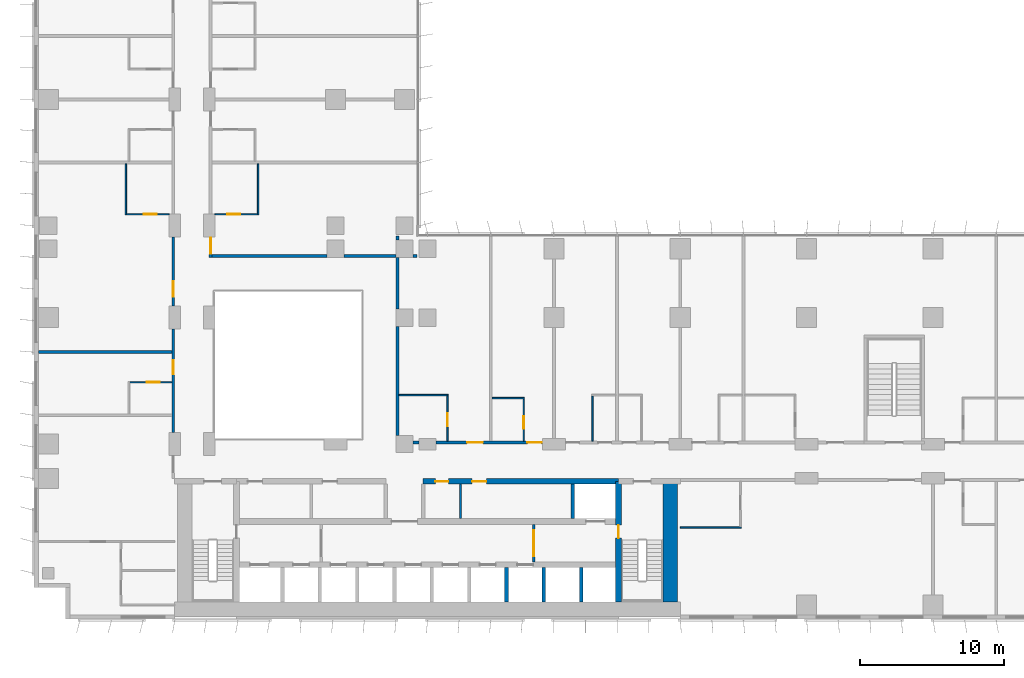
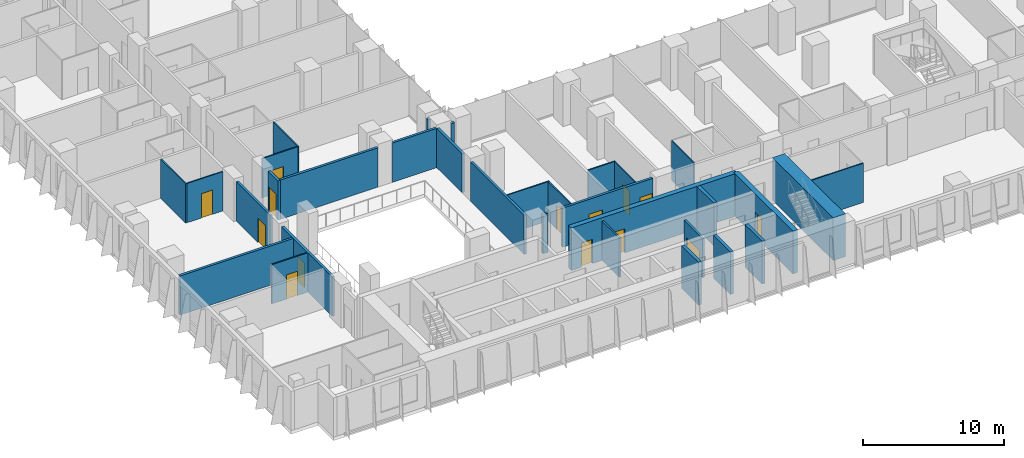
# One storey, part 13 of 24: 32 walls, 14 doors, 14 openings.
"""IFC4 building model written with IfcOpenShell, lengths in metres."""

from ifc_helpers import new_model, si_unit, direction, frame, frame_2d, origin, place, context, subcontext, project, spatial, rectangle, extrude, material, layer, layer_set, type_object, element, fill, save


model = new_model("IFC4")

# Units and contexts
model_context = context("Model", 3, precision=1e-05, world=origin(), true_north=direction((0.0, 1.0)))
body_context = subcontext(model_context, "Body", "Model", "MODEL_VIEW")
ifc_project = project(units=[si_unit("LENGTHUNIT", "METRE"), si_unit("AREAUNIT", "SQUARE_METRE"), si_unit("VOLUMEUNIT", "CUBIC_METRE"), si_unit("PLANEANGLEUNIT", "RADIAN"), si_unit("MASSUNIT", "GRAM", prefix="KILO")], contexts=[model_context])

# Site, building, storey
site_placement = place(None, origin())
site = spatial("IfcSite", under=ifc_project, at=site_placement, CompositionType="ELEMENT")
building_placement = place(site_placement, origin())
building = spatial("IfcBuilding", under=site, at=building_placement, Name="Kemantara Hotel Tower", CompositionType="ELEMENT")
storey_placement = place(building_placement, frame((0.0, 0.0, 63.60009765625)))
storey = spatial("IfcBuildingStorey", under=building, at=storey_placement, Name="L14", CompositionType="ELEMENT", Elevation=63.60009765625)

# Walls
ifc_material_1 = material(Name="Concrete fc 70 MPa", Category="concrete")
ifc_layer_1 = layer(ifc_material_1, 1.0)
ifc_layer_set_1 = layer_set([ifc_layer_1], Name="Concrete fc 70 MPa")
wall_type_1 = type_object("IfcWallType", Name="CORE WALL 1000 FC70", PredefinedType="SHEAR", material=ifc_layer_set_1)
wall_1_placement = place(storey_placement, frame((44.300048828125, 1.199951171875, 0.0), z_axis=(0.0, 0.0, 1.0), x_axis=(0.0, 1.0, 0.0)))
element("IfcWall", 1, at=wall_1_placement, inside=storey, type_object=wall_type_1, Name="CORE WALL CW-E", PredefinedType="SHEAR", context=body_context, shape_type="SweptSolid", body=[
    extrude(rectangle(XDim=8.60009765625, YDim=1.0, at=frame_2d((4.300048828125, 0.0))), origin(), (0.0, 0.0, 1.0), 3.699951171875),
])
ifc_layer_2 = layer(ifc_material_1, 0.25)
ifc_layer_set_2 = layer_set([ifc_layer_2], Name="Concrete fc 70 MPa")
wall_type_2 = type_object("IfcWallType", Name="CORE WALL 250 FC70", PredefinedType="SHEAR", material=ifc_layer_set_2)
for number, where, z_axis, x_axis, name in (
    (2, (32.89990234375, 1.199951171875, 0.0), (0.0, 0.0, 1.0), (0.0, 1.0, 0.0), "CORE WALL CW-DS32.9"),
    (3, (35.5, 1.199951171875, 0.0), (0.0, 0.0, 1.0), (0.0, 1.0, 0.0), "CORE WALL CW-DS35.5"),
    (4, (38.10009765625, 1.199951171875, 0.0), (0.0, 0.0, 1.0), (0.0, 1.0, 0.0), "CORE WALL CW-DS38.1"),
):
    element("IfcWall", number, at=place(storey_placement, frame(where, z_axis=z_axis, x_axis=x_axis)), inside=storey, type_object=wall_type_2, Name=name, PredefinedType="SHEAR", context=body_context, shape_type="SweptSolid", body=[
        extrude(rectangle(XDim=2.400146484375, YDim=0.25, at=frame_2d((1.2001953125, 0.0))), origin(), (0.0, 0.0, 1.0), 3.699951171875),
    ])
wall_2_placement = place(storey_placement, frame((37.5, 7.0, 0.0), z_axis=(0.0, 0.0, 1.0), x_axis=(0.0, 1.0, 0.0)))
element("IfcWall", 5, at=wall_2_placement, inside=storey, type_object=wall_type_2, Name="CORE WALL CW-DN37.5", PredefinedType="SHEAR", context=body_context, shape_type="SweptSolid", body=[
    extrude(rectangle(XDim=2.39990234375, YDim=0.25, at=frame_2d((1.199951171875, 0.0))), origin(), (0.0, 0.0, 1.0), 3.699951171875),
])

# Wall, openings, doors
ifc_layer_3 = layer(ifc_material_1, 0.39990234375)
ifc_layer_set_3 = layer_set([ifc_layer_3], Name="Concrete fc 70 MPa")
wall_type_3 = type_object("IfcWallType", Name="CORE WALL 400 FC70", PredefinedType="SHEAR", material=ifc_layer_set_3)
wall_3_placement = place(storey_placement, frame((27.10009765625, 9.60009765625, 0.0), z_axis=(0.0, 0.0, 1.0), x_axis=(1.0, 0.0, 0.0)))
wall_3 = element("IfcWall", 6, at=wall_3_placement, inside=storey, type_object=wall_type_3, Name="CORE WALL CW-NN2", PredefinedType="SHEAR", context=body_context, shape_type="SweptSolid", body=[
    extrude(rectangle(XDim=13.599853515625, YDim=0.39990234375, at=frame_2d((6.7998046875, 0.0))), origin(), (0.0, 0.0, 1.0), 3.699951171875),
])
opening_1_placement = place(wall_3_placement, frame((0.85009765625, 0.0, 0.0)))
opening_1 = element("IfcOpeningElement", 7, at=opening_1_placement, cuts=wall_3, Name="Opening C10-R-NE1", PredefinedType="OPENING", context=body_context, shape_type="SweptSolid", body=[
    extrude(rectangle(XDim=0.89990234375, YDim=2.10009765625, at=frame_2d((0.449951171875, 1.050048828125))), frame((0.0, 0.2099609375, 0.0), z_axis=(0.0, -1.0, 0.0), x_axis=(1.0, 0.0, 0.0)), (0.0, 0.0, 1.0), 0.419921875),
])
opening_2_placement = place(wall_3_placement, frame((3.39990234375, 0.0, 0.0)))
opening_2 = element("IfcOpeningElement", 8, at=opening_2_placement, cuts=wall_3, Name="Opening C10-R-NE2", PredefinedType="OPENING", context=body_context, shape_type="SweptSolid", body=[
    extrude(rectangle(XDim=1.0, YDim=2.10009765625, at=frame_2d((0.5, 1.050048828125))), frame((0.0, 0.2099609375, 0.0), z_axis=(0.0, -1.0, 0.0), x_axis=(1.0, 0.0, 0.0)), (0.0, 0.0, 1.0), 0.419921875),
])
ifc_material_2 = material(Name="Steel fire door", Category="steel")
door_type_1 = type_object("IfcDoorType", Name="Fire door FD30S 1000 x 2100", OperationType="NOTDEFINED", PredefinedType="DOOR", material=ifc_material_2)
door_1_placement = place(opening_2_placement, frame((1.0, 0.0, 0.0), z_axis=(0.0, 0.0, 1.0), x_axis=(-1.0, 0.0, 0.0)))
door_1 = element("IfcDoor", 9, at=door_1_placement, inside=storey, type_object=door_type_1, Name="Guest Pantry door", OperationType="SINGLE_SWING_RIGHT", OverallHeight=2.10009765625, OverallWidth=1.0, PredefinedType="DOOR", context=body_context, shape_type="SweptSolid", body=[
    extrude(rectangle(XDim=1.0, YDim=2.10009765625, at=frame_2d((0.5, 1.050048828125))), frame((0.0, 0.02490234375, 0.0), z_axis=(0.0, -1.0, 0.0), x_axis=(1.0, 0.0, 0.0)), (0.0, 0.0, 1.0), 0.050048828125),
])
fill(opening_2, door_1)
door_type_2 = type_object("IfcDoorType", Name="Fire door FD60 900 x 2100", OperationType="NOTDEFINED", PredefinedType="DOOR", material=ifc_material_2)
door_2_placement = place(opening_1_placement, frame((0.89990234375, 0.0, 0.0), z_axis=(0.0, 0.0, 1.0), x_axis=(-1.0, 0.0, 0.0)))
door_2 = element("IfcDoor", 10, at=door_2_placement, inside=storey, type_object=door_type_2, Name="Electrical Riser Room door", OperationType="SINGLE_SWING_RIGHT", OverallHeight=2.10009765625, OverallWidth=0.89990234375, PredefinedType="DOOR", context=body_context, shape_type="SweptSolid", body=[
    extrude(rectangle(XDim=0.89990234375, YDim=2.10009765625, at=frame_2d((0.449951171875, 1.050048828125))), frame((0.0, 0.02490234375, 0.0), z_axis=(0.0, -1.0, 0.0), x_axis=(1.0, 0.0, 0.0)), (0.0, 0.0, 1.0), 0.050048828125),
])
fill(opening_1, door_2)

# Wall, opening, door
wall_4_placement = place(storey_placement, frame((40.699951171875, 1.199951171875, 0.0), z_axis=(0.0, 0.0, 1.0), x_axis=(0.0, 1.0, 0.0)))
wall_4 = element("IfcWall", 11, at=wall_4_placement, inside=storey, type_object=wall_type_3, Name="CORE WALL CW-ST2W", PredefinedType="SHEAR", context=body_context, shape_type="SweptSolid", body=[
    extrude(rectangle(XDim=8.400146484375, YDim=0.39990234375, at=frame_2d((4.2001953125, 0.0))), origin(), (0.0, 0.0, 1.0), 3.699951171875),
])
opening_3_placement = place(wall_4_placement, frame((4.449951171875, 0.0, 0.0)))
opening_3 = element("IfcOpeningElement", 12, at=opening_3_placement, cuts=wall_4, Name="Opening C10-ST2-F", PredefinedType="OPENING", context=body_context, shape_type="SweptSolid", body=[
    extrude(rectangle(XDim=0.89990234375, YDim=2.10009765625, at=frame_2d((0.449951171875, 1.050048828125))), frame((0.0, 0.2099609375, 0.0), z_axis=(0.0, -1.0, 0.0), x_axis=(1.0, 0.0, 0.0)), (0.0, 0.0, 1.0), 0.419921875),
])
door_type_3 = type_object("IfcDoorType", Name="Fire door FD90 900 x 2100", OperationType="NOTDEFINED", PredefinedType="DOOR", material=ifc_material_2)
door_3_placement = place(opening_3_placement, frame((0.89990234375, 0.0, 0.0), z_axis=(0.0, 0.0, 1.0), x_axis=(-1.0, 0.0, 0.0)))
door_3 = element("IfcDoor", 13, at=door_3_placement, inside=storey, type_object=door_type_3, Name="Stair ST2 door to firefighting lobby", OperationType="SINGLE_SWING_LEFT", OverallHeight=2.10009765625, OverallWidth=0.89990234375, PredefinedType="DOOR", context=body_context, shape_type="SweptSolid", body=[
    extrude(rectangle(XDim=0.89990234375, YDim=2.10009765625, at=frame_2d((0.449951171875, 1.050048828125))), frame((0.0, 0.02490234375, 0.0), z_axis=(0.0, -1.0, 0.0), x_axis=(1.0, 0.0, 0.0)), (0.0, 0.0, 1.0), 0.050048828125),
])
fill(opening_3, door_3)

# Wall
ifc_material_3 = material(Name="Gypsum board partition, steel studs and mineral wool, 200 mm", Category="steel")
ifc_layer_4 = layer(ifc_material_3, 0.199951171875)
ifc_layer_set_4 = layer_set([ifc_layer_4], Name="Gypsum board partition, steel studs and mineral wool, 200 mm")
wall_type_4 = type_object("IfcWallType", Name="CORRIDOR WALL 200", PredefinedType="PARTITIONING", material=ifc_layer_set_4)
wall_5_placement = place(storey_placement, frame((26.400146484375, 12.300048828125, 0.0), z_axis=(0.0, 0.0, 1.0), x_axis=(1.0, 0.0, 0.0)))
element("IfcWall", 14, at=wall_5_placement, inside=storey, type_object=wall_type_4, Name="CORRIDOR WALL 200 009", PredefinedType="PARTITIONING", context=body_context, shape_type="SweptSolid", body=[
    extrude(rectangle(XDim=0.399658203125, YDim=0.199951171875, at=frame_2d((0.19970703125, 0.0))), origin(), (0.0, 0.0, 1.0), 3.39990234375),
])

# Wall, openings, doors
wall_6_placement = place(storey_placement, frame((28.0, 12.300048828125, 0.0), z_axis=(0.0, 0.0, 1.0), x_axis=(1.0, 0.0, 0.0)))
wall_6 = element("IfcWall", 15, at=wall_6_placement, inside=storey, type_object=wall_type_4, Name="CORRIDOR WALL 200 010", PredefinedType="PARTITIONING", context=body_context, shape_type="SweptSolid", body=[
    extrude(rectangle(XDim=7.39990234375, YDim=0.199951171875, at=frame_2d((3.699951171875, 0.0))), origin(), (0.0, 0.0, 1.0), 3.39990234375),
])
opening_4_placement = place(wall_6_placement, frame((2.14990234375, 0.0, 0.0)))
opening_4 = element("IfcOpeningElement", 16, at=opening_4_placement, cuts=wall_6, Name="Opening F05-009", PredefinedType="OPENING", context=body_context, shape_type="SweptSolid", body=[
    extrude(rectangle(XDim=1.10009765625, YDim=2.10009765625, at=frame_2d((0.550048828125, 1.050048828125))), frame((0.0, 0.10986328125, 0.0), z_axis=(0.0, -1.0, 0.0), x_axis=(1.0, 0.0, 0.0)), (0.0, 0.0, 1.0), 0.219970703125),
])
opening_5_placement = place(wall_6_placement, frame((6.349853515625, 0.0, 0.0)))
opening_5 = element("IfcOpeningElement", 17, at=opening_5_placement, cuts=wall_6, Name="Opening F05-011", PredefinedType="OPENING", context=body_context, shape_type="SweptSolid", body=[
    extrude(rectangle(XDim=1.0, YDim=2.10009765625, at=frame_2d((0.5, 1.050048828125))), frame((0.0, 0.10986328125, 0.0), z_axis=(0.0, -1.0, 0.0), x_axis=(1.0, 0.0, 0.0)), (0.0, 0.0, 1.0), 0.219970703125),
])
ifc_material_4 = material(Name="Hardwood veneer door leaf with steel frame", Category="steel")
door_type_4 = type_object("IfcDoorType", Name="GUEST ROOM DOOR 1000 X 2100 FD30S", OperationType="NOTDEFINED", PredefinedType="DOOR", material=ifc_material_4)
door_4_placement = place(opening_5_placement, origin())
door_4 = element("IfcDoor", 18, at=door_4_placement, inside=storey, type_object=door_type_4, Name="GUEST ROOM DOOR F05-011", OperationType="SINGLE_SWING_RIGHT", OverallHeight=2.10009765625, OverallWidth=1.0, PredefinedType="DOOR", context=body_context, shape_type="SweptSolid", body=[
    extrude(rectangle(XDim=1.0, YDim=2.10009765625, at=frame_2d((0.5, 1.050048828125))), frame((0.0, 0.02490234375, 0.0), z_axis=(0.0, -1.0, 0.0), x_axis=(1.0, 0.0, 0.0)), (0.0, 0.0, 1.0), 0.050048828125),
])
fill(opening_5, door_4)
door_type_5 = type_object("IfcDoorType", Name="SUITE ENTRANCE DOOR 1100 X 2100 FD30S", OperationType="NOTDEFINED", PredefinedType="DOOR", material=ifc_material_4)
door_5_placement = place(opening_4_placement, origin())
door_5 = element("IfcDoor", 19, at=door_5_placement, inside=storey, type_object=door_type_5, Name="SUITE ENTRANCE DOOR F05-009", OperationType="SINGLE_SWING_RIGHT", OverallHeight=2.10009765625, OverallWidth=1.10009765625, PredefinedType="DOOR", context=body_context, shape_type="SweptSolid", body=[
    extrude(rectangle(XDim=1.10009765625, YDim=2.10009765625, at=frame_2d((0.550048828125, 1.050048828125))), frame((0.0, 0.02490234375, 0.0), z_axis=(0.0, -1.0, 0.0), x_axis=(1.0, 0.0, 0.0)), (0.0, 0.0, 1.0), 0.050048828125),
])
fill(opening_4, door_5)

# Wall, opening, door
wall_7_placement = place(storey_placement, frame((9.699951171875, 13.0, 0.0), z_axis=(0.0, 0.0, 1.0), x_axis=(0.0, 1.0, 0.0)))
wall_7 = element("IfcWall", 20, at=wall_7_placement, inside=storey, type_object=wall_type_4, Name="CORRIDOR WALL 200 027", PredefinedType="PARTITIONING", context=body_context, shape_type="SweptSolid", body=[
    extrude(rectangle(XDim=7.199951171875, YDim=0.199951171875, at=frame_2d((3.60009765625, 0.0))), origin(), (0.0, 0.0, 1.0), 3.39990234375),
])
opening_6_placement = place(wall_7_placement, frame((4.0498046875, 0.0, 0.0)))
opening_6 = element("IfcOpeningElement", 21, at=opening_6_placement, cuts=wall_7, Name="Opening F05-031", PredefinedType="OPENING", context=body_context, shape_type="SweptSolid", body=[
    extrude(rectangle(XDim=1.0, YDim=2.10009765625, at=frame_2d((0.5, 1.050048828125))), frame((0.0, 0.10986328125, 0.0), z_axis=(0.0, -1.0, 0.0), x_axis=(1.0, 0.0, 0.0)), (0.0, 0.0, 1.0), 0.219970703125),
])
door_6_placement = place(opening_6_placement, origin())
door_6 = element("IfcDoor", 22, at=door_6_placement, inside=storey, type_object=door_type_4, Name="GUEST ROOM DOOR F05-031", OperationType="SINGLE_SWING_RIGHT", OverallHeight=2.10009765625, OverallWidth=1.0, PredefinedType="DOOR", context=body_context, shape_type="SweptSolid", body=[
    extrude(rectangle(XDim=1.0, YDim=2.10009765625, at=frame_2d((0.5, 1.050048828125))), frame((0.0, 0.02490234375, 0.0), z_axis=(0.0, -1.0, 0.0), x_axis=(1.0, 0.0, 0.0)), (0.0, 0.0, 1.0), 0.050048828125),
])
fill(opening_6, door_6)

wall_8_placement = place(storey_placement, frame((9.699951171875, 21.800048828125, 0.0), z_axis=(0.0, 0.0, 1.0), x_axis=(0.0, 1.0, 0.0)))
wall_8 = element("IfcWall", 23, at=wall_8_placement, inside=storey, type_object=wall_type_4, Name="CORRIDOR WALL 200 028", PredefinedType="PARTITIONING", context=body_context, shape_type="SweptSolid", body=[
    extrude(rectangle(XDim=4.7998046875, YDim=0.199951171875, at=frame_2d((2.39990234375, 0.0))), origin(), (0.0, 0.0, 1.0), 3.39990234375),
])
opening_7_placement = place(wall_8_placement, frame((0.64990234375, 0.0, 0.0)))
opening_7 = element("IfcOpeningElement", 24, at=opening_7_placement, cuts=wall_8, Name="Opening F05-033", PredefinedType="OPENING", context=body_context, shape_type="SweptSolid", body=[
    extrude(rectangle(XDim=1.10009765625, YDim=2.10009765625, at=frame_2d((0.550048828125, 1.050048828125))), frame((0.0, 0.10986328125, 0.0), z_axis=(0.0, -1.0, 0.0), x_axis=(1.0, 0.0, 0.0)), (0.0, 0.0, 1.0), 0.219970703125),
])
door_7_placement = place(opening_7_placement, origin())
door_7 = element("IfcDoor", 25, at=door_7_placement, inside=storey, type_object=door_type_5, Name="SUITE ENTRANCE DOOR F05-033", OperationType="SINGLE_SWING_LEFT", OverallHeight=2.10009765625, OverallWidth=1.10009765625, PredefinedType="DOOR", context=body_context, shape_type="SweptSolid", body=[
    extrude(rectangle(XDim=1.10009765625, YDim=2.10009765625, at=frame_2d((0.550048828125, 1.050048828125))), frame((0.0, 0.02490234375, 0.0), z_axis=(0.0, -1.0, 0.0), x_axis=(1.0, 0.0, 0.0)), (0.0, 0.0, 1.0), 0.050048828125),
])
fill(opening_7, door_7)

wall_9_placement = place(storey_placement, frame((12.300048828125, 26.599853515625, 0.0), z_axis=(0.0, 0.0, 1.0), x_axis=(0.0, -1.0, 0.0)))
wall_9 = element("IfcWall", 26, at=wall_9_placement, inside=storey, type_object=wall_type_4, Name="CORRIDOR WALL 200 048", PredefinedType="PARTITIONING", context=body_context, shape_type="SweptSolid", body=[
    extrude(rectangle(XDim=1.39990234375, YDim=0.199951171875, at=frame_2d((0.699951171875, 0.0))), origin(), (0.0, 0.0, 1.0), 3.39990234375),
])
opening_8_placement = place(wall_9_placement, frame((0.0498046875, 0.0, 0.0)))
opening_8 = element("IfcOpeningElement", 27, at=opening_8_placement, cuts=wall_9, Name="Opening F05-049", PredefinedType="OPENING", context=body_context, shape_type="SweptSolid", body=[
    extrude(rectangle(XDim=1.10009765625, YDim=2.10009765625, at=frame_2d((0.550048828125, 1.050048828125))), frame((0.0, 0.10986328125, 0.0), z_axis=(0.0, -1.0, 0.0), x_axis=(1.0, 0.0, 0.0)), (0.0, 0.0, 1.0), 0.219970703125),
])
door_8_placement = place(opening_8_placement, origin())
door_8 = element("IfcDoor", 28, at=door_8_placement, inside=storey, type_object=door_type_5, Name="SUITE ENTRANCE DOOR F05-049", OperationType="SINGLE_SWING_RIGHT", OverallHeight=2.10009765625, OverallWidth=1.10009765625, PredefinedType="DOOR", context=body_context, shape_type="SweptSolid", body=[
    extrude(rectangle(XDim=1.10009765625, YDim=2.10009765625, at=frame_2d((0.550048828125, 1.050048828125))), frame((0.0, 0.02490234375, 0.0), z_axis=(0.0, -1.0, 0.0), x_axis=(1.0, 0.0, 0.0)), (0.0, 0.0, 1.0), 0.050048828125),
])
fill(opening_8, door_8)

# Walls
ifc_layer_5 = layer(ifc_material_3, 0.199951171875)
ifc_layer_set_5 = layer_set([ifc_layer_5], Name="Gypsum board partition, steel studs and mineral wool, 200 mm")
wall_type_5 = type_object("IfcWallType", Name="GUEST ROOM PARTY WALL 200", PredefinedType="PARTITIONING", material=ifc_layer_set_5)
wall_10_placement = place(storey_placement, frame((25.300048828125, 12.800048828125, 0.0), z_axis=(0.0, 0.0, 1.0), x_axis=(0.0, 1.0, 0.0)))
element("IfcWall", 29, at=wall_10_placement, inside=storey, type_object=wall_type_5, Name="GUEST ROOM PARTY WALL 200 016", PredefinedType="PARTITIONING", context=body_context, shape_type="SweptSolid", body=[
    extrude(rectangle(XDim=7.599853515625, YDim=0.199951171875, at=frame_2d((3.7998046875, 0.0))), origin(), (0.0, 0.0, 1.0), 3.39990234375),
])
wall_11_placement = place(storey_placement, frame((25.300048828125, 21.60009765625, 0.0), z_axis=(0.0, 0.0, 1.0), x_axis=(0.0, 1.0, 0.0)))
element("IfcWall", 30, at=wall_11_placement, inside=storey, type_object=wall_type_5, Name="GUEST ROOM PARTY WALL 200 017", PredefinedType="PARTITIONING", context=body_context, shape_type="SweptSolid", body=[
    extrude(rectangle(XDim=3.599853515625, YDim=0.199951171875, at=frame_2d((1.7998046875, 0.0))), origin(), (0.0, 0.0, 1.0), 3.39990234375),
])
wall_12_placement = place(storey_placement, frame((25.300048828125, 26.400146484375, 0.0), z_axis=(0.0, 0.0, 1.0), x_axis=(0.0, 1.0, 0.0)))
element("IfcWall", 31, at=wall_12_placement, inside=storey, type_object=wall_type_5, Name="GUEST ROOM PARTY WALL 200 018", PredefinedType="PARTITIONING", context=body_context, shape_type="SweptSolid", body=[
    extrude(rectangle(XDim=0.269775390625, YDim=0.199951171875, at=frame_2d((0.134765625, 0.0))), origin(), (0.0, 0.0, 1.0), 3.39990234375),
])
wall_13_placement = place(storey_placement, frame((0.31005859375, 18.60009765625, 0.0), z_axis=(0.0, 0.0, 1.0), x_axis=(1.0, 0.0, 0.0)))
element("IfcWall", 32, at=wall_13_placement, inside=storey, type_object=wall_type_5, Name="GUEST ROOM PARTY WALL 200 036", PredefinedType="PARTITIONING", context=body_context, shape_type="SweptSolid", body=[
    extrude(rectangle(XDim=9.2900390625, YDim=0.199951171875, at=frame_2d((4.64501953125, 0.0))), origin(), (0.0, 0.0, 1.0), 3.39990234375),
])
wall_14_placement = place(storey_placement, frame((12.39990234375, 25.300048828125, 0.0), z_axis=(0.0, 0.0, 1.0), x_axis=(1.0, 0.0, 0.0)))
element("IfcWall", 33, at=wall_14_placement, inside=storey, type_object=wall_type_5, Name="GUEST ROOM PARTY WALL 200 055", PredefinedType="PARTITIONING", context=body_context, shape_type="SweptSolid", body=[
    extrude(rectangle(XDim=8.0, YDim=0.199951171875, at=frame_2d((4.0, 0.0))), origin(), (0.0, 0.0, 1.0), 3.39990234375),
])
wall_15_placement = place(storey_placement, frame((21.60009765625, 25.300048828125, 0.0), z_axis=(0.0, 0.0, 1.0), x_axis=(1.0, 0.0, 0.0)))
element("IfcWall", 34, at=wall_15_placement, inside=storey, type_object=wall_type_5, Name="GUEST ROOM PARTY WALL 200 056", PredefinedType="PARTITIONING", context=body_context, shape_type="SweptSolid", body=[
    extrude(rectangle(XDim=3.599853515625, YDim=0.199951171875, at=frame_2d((1.7998046875, 0.0))), origin(), (0.0, 0.0, 1.0), 3.39990234375),
])
wall_16_placement = place(storey_placement, frame((26.400146484375, 25.300048828125, 0.0), z_axis=(0.0, 0.0, 1.0), x_axis=(1.0, 0.0, 0.0)))
element("IfcWall", 35, at=wall_16_placement, inside=storey, type_object=wall_type_5, Name="GUEST ROOM PARTY WALL 200 057", PredefinedType="PARTITIONING", context=body_context, shape_type="SweptSolid", body=[
    extrude(rectangle(XDim=0.269775390625, YDim=0.199951171875, at=frame_2d((0.134765625, 0.0))), origin(), (0.0, 0.0, 1.0), 3.39990234375),
])
ifc_material_5 = material(Name="Gypsum board partition")
ifc_layer_6 = layer(ifc_material_5, 0.14990234375)
ifc_layer_set_6 = layer_set([ifc_layer_6], Name="Gypsum board partition")
wall_type_6 = type_object("IfcWallType", Name="Gypsum board partition 150 mm", PredefinedType="PARTITIONING", material=ifc_layer_set_6)
wall_17_placement = place(storey_placement, frame((29.699951171875, 7.0, 0.0), z_axis=(0.0, 0.0, 1.0), x_axis=(0.0, 1.0, 0.0)))
element("IfcWall", 36, at=wall_17_placement, inside=storey, type_object=wall_type_6, Name="Core room partition", PredefinedType="PARTITIONING", context=body_context, shape_type="SweptSolid", body=[
    extrude(rectangle(XDim=2.39990234375, YDim=0.14990234375, at=frame_2d((1.199951171875, 0.0))), origin(), (0.0, 0.0, 1.0), 3.39990234375),
])

# Wall, opening, door
ifc_material_6 = material(Name="Gypsum board shaft wall")
ifc_layer_7 = layer(ifc_material_6, 0.199951171875)
ifc_layer_set_7 = layer_set([ifc_layer_7], Name="Gypsum board shaft wall")
wall_type_7 = type_object("IfcWallType", Name="Gypsum board shaft wall 200 mm", PredefinedType="PARTITIONING", material=ifc_layer_set_7)
wall_18_placement = place(storey_placement, frame((34.800048828125, 4.0, 0.0), z_axis=(0.0, 0.0, 1.0), x_axis=(0.0, 1.0, 0.0)))
wall_18 = element("IfcWall", 37, at=wall_18_placement, inside=storey, type_object=wall_type_7, Name="Firefighting lobby partition east", PredefinedType="PARTITIONING", context=body_context, shape_type="SweptSolid", body=[
    extrude(rectangle(XDim=2.60009765625, YDim=0.199951171875, at=frame_2d((1.300048828125, 0.0))), origin(), (0.0, 0.0, 1.0), 3.39990234375),
])
opening_9_placement = place(wall_18_placement, frame((0.39990234375, 0.0, 0.0)))
opening_9 = element("IfcOpeningElement", 38, at=opening_9_placement, cuts=wall_18, Name="Opening C10-FFE", PredefinedType="OPENING", context=body_context, shape_type="SweptSolid", body=[
    extrude(rectangle(XDim=1.800048828125, YDim=2.10009765625, at=frame_2d((0.89990234375, 1.050048828125))), frame((0.0, 0.10986328125, 0.0), z_axis=(0.0, -1.0, 0.0), x_axis=(1.0, 0.0, 0.0)), (0.0, 0.0, 1.0), 0.219970703125),
])
door_type_6 = type_object("IfcDoorType", Name="Fire door pair FD60 1800 x 2100", OperationType="DOUBLE_DOOR_SINGLE_SWING", PredefinedType="DOOR", material=ifc_material_2)
door_9_placement = place(opening_9_placement, frame((1.800048828125, 0.0, 0.0), z_axis=(0.0, 0.0, 1.0), x_axis=(-1.0, 0.0, 0.0)))
door_9 = element("IfcDoor", 39, at=door_9_placement, inside=storey, type_object=door_type_6, Name="Firefighting lobby door east", OperationType="DOUBLE_DOOR_SINGLE_SWING", OverallHeight=2.10009765625, OverallWidth=1.800048828125, PredefinedType="DOOR", context=body_context, shape_type="SweptSolid", body=[
    extrude(rectangle(XDim=1.800048828125, YDim=2.10009765625, at=frame_2d((0.89990234375, 1.050048828125))), frame((0.0, 0.02490234375, 0.0), z_axis=(0.0, -1.0, 0.0), x_axis=(1.0, 0.0, 0.0)), (0.0, 0.0, 1.0), 0.050048828125),
])
fill(opening_9, door_9)

# Walls
ifc_material_7 = material(Name="Gypsum board partition on steel studs, 100 mm", Category="steel")
ifc_layer_8 = layer(ifc_material_7, 0.10009765625)
ifc_layer_set_8 = layer_set([ifc_layer_8], Name="Gypsum board partition on steel studs, 100 mm")
wall_type_8 = type_object("IfcWallType", Name="ROOM PARTITION 100", PredefinedType="PARTITIONING", material=ifc_layer_set_8)
wall_19_placement = place(storey_placement, frame((45.0, 6.39990234375, 0.0), z_axis=(0.0, 0.0, 1.0), x_axis=(1.0, 0.0, 0.0)))
element("IfcWall", 40, at=wall_19_placement, inside=storey, type_object=wall_type_8, Name="ROOM PARTITION 100 065", PredefinedType="PARTITIONING", context=body_context, shape_type="SweptSolid", body=[
    extrude(rectangle(XDim=4.25, YDim=0.10009765625, at=frame_2d((2.125, 0.0))), origin(), (0.0, 0.0, 1.0), 3.39990234375),
])
wall_20_placement = place(storey_placement, frame((25.39990234375, 15.60009765625, 0.0), z_axis=(0.0, 0.0, 1.0), x_axis=(1.0, 0.0, 0.0)))
element("IfcWall", 41, at=wall_20_placement, inside=storey, type_object=wall_type_8, Name="ROOM PARTITION 100 074", PredefinedType="PARTITIONING", context=body_context, shape_type="SweptSolid", body=[
    extrude(rectangle(XDim=3.4501953125, YDim=0.10009765625, at=frame_2d((1.72509765625, 0.0))), origin(), (0.0, 0.0, 1.0), 3.39990234375),
])

# Wall, opening, door
wall_21_placement = place(storey_placement, frame((28.800048828125, 12.39990234375, 0.0), z_axis=(0.0, 0.0, 1.0), x_axis=(0.0, 1.0, 0.0)))
wall_21 = element("IfcWall", 42, at=wall_21_placement, inside=storey, type_object=wall_type_8, Name="ROOM PARTITION 100 079", PredefinedType="PARTITIONING", context=body_context, shape_type="SweptSolid", body=[
    extrude(rectangle(XDim=3.150146484375, YDim=0.10009765625, at=frame_2d((1.5751953125, 0.0))), origin(), (0.0, 0.0, 1.0), 3.39990234375),
])
opening_10_placement = place(wall_21_placement, frame((1.050048828125, 0.0, 0.0)))
opening_10 = element("IfcOpeningElement", 43, at=opening_10_placement, cuts=wall_21, Name="Opening F05-010", PredefinedType="OPENING", context=body_context, shape_type="SweptSolid", body=[
    extrude(rectangle(XDim=0.89990234375, YDim=2.10009765625, at=frame_2d((0.449951171875, 1.050048828125))), frame((0.0, 0.06005859375, 0.0), z_axis=(0.0, -1.0, 0.0), x_axis=(1.0, 0.0, 0.0)), (0.0, 0.0, 1.0), 0.1201171875),
])
door_type_7 = type_object("IfcDoorType", Name="BATHROOM DOOR 900 X 2100", OperationType="NOTDEFINED", PredefinedType="DOOR", material=ifc_material_4)
door_10_placement = place(opening_10_placement, origin())
door_10 = element("IfcDoor", 44, at=door_10_placement, inside=storey, type_object=door_type_7, Name="BATHROOM DOOR F05-010", OperationType="SINGLE_SWING_LEFT", OverallHeight=2.10009765625, OverallWidth=0.89990234375, PredefinedType="DOOR", context=body_context, shape_type="SweptSolid", body=[
    extrude(rectangle(XDim=0.89990234375, YDim=2.10009765625, at=frame_2d((0.449951171875, 1.050048828125))), frame((0.0, 0.02490234375, 0.0), z_axis=(0.0, -1.0, 0.0), x_axis=(1.0, 0.0, 0.0)), (0.0, 0.0, 1.0), 0.050048828125),
])
fill(opening_10, door_10)

# Wall
wall_22_placement = place(storey_placement, frame((31.89990234375, 15.39990234375, 0.0), z_axis=(0.0, 0.0, 1.0), x_axis=(1.0, 0.0, 0.0)))
element("IfcWall", 45, at=wall_22_placement, inside=storey, type_object=wall_type_8, Name="ROOM PARTITION 100 080", PredefinedType="PARTITIONING", context=body_context, shape_type="SweptSolid", body=[
    extrude(rectangle(XDim=2.25, YDim=0.10009765625, at=frame_2d((1.125, 0.0))), origin(), (0.0, 0.0, 1.0), 3.39990234375),
])

# Wall, opening, door
wall_23_placement = place(storey_placement, frame((34.10009765625, 12.39990234375, 0.0), z_axis=(0.0, 0.0, 1.0), x_axis=(0.0, 1.0, 0.0)))
wall_23 = element("IfcWall", 46, at=wall_23_placement, inside=storey, type_object=wall_type_8, Name="ROOM PARTITION 100 083", PredefinedType="PARTITIONING", context=body_context, shape_type="SweptSolid", body=[
    extrude(rectangle(XDim=2.9501953125, YDim=0.10009765625, at=frame_2d((1.47509765625, 0.0))), origin(), (0.0, 0.0, 1.0), 3.39990234375),
])
opening_11_placement = place(wall_23_placement, frame((0.85009765625, 0.0, 0.0)))
opening_11 = element("IfcOpeningElement", 47, at=opening_11_placement, cuts=wall_23, Name="Opening F05-012", PredefinedType="OPENING", context=body_context, shape_type="SweptSolid", body=[
    extrude(rectangle(XDim=0.89990234375, YDim=2.10009765625, at=frame_2d((0.449951171875, 1.050048828125))), frame((0.0, 0.06005859375, 0.0), z_axis=(0.0, -1.0, 0.0), x_axis=(1.0, 0.0, 0.0)), (0.0, 0.0, 1.0), 0.1201171875),
])
door_11_placement = place(opening_11_placement, origin())
door_11 = element("IfcDoor", 48, at=door_11_placement, inside=storey, type_object=door_type_7, Name="BATHROOM DOOR F05-012", OperationType="SINGLE_SWING_LEFT", OverallHeight=2.10009765625, OverallWidth=0.89990234375, PredefinedType="DOOR", context=body_context, shape_type="SweptSolid", body=[
    extrude(rectangle(XDim=0.89990234375, YDim=2.10009765625, at=frame_2d((0.449951171875, 1.050048828125))), frame((0.0, 0.02490234375, 0.0), z_axis=(0.0, -1.0, 0.0), x_axis=(1.0, 0.0, 0.0)), (0.0, 0.0, 1.0), 0.050048828125),
])
fill(opening_11, door_11)

# Wall
wall_24_placement = place(storey_placement, frame((38.89990234375, 12.39990234375, 0.0), z_axis=(0.0, 0.0, 1.0), x_axis=(0.0, 1.0, 0.0)))
element("IfcWall", 49, at=wall_24_placement, inside=storey, type_object=wall_type_8, Name="ROOM PARTITION 100 084", PredefinedType="PARTITIONING", context=body_context, shape_type="SweptSolid", body=[
    extrude(rectangle(XDim=3.150146484375, YDim=0.10009765625, at=frame_2d((1.5751953125, 0.0))), origin(), (0.0, 0.0, 1.0), 3.39990234375),
])

# Wall, opening, door
wall_25_placement = place(storey_placement, frame((9.60009765625, 16.5, 0.0), z_axis=(0.0, 0.0, 1.0), x_axis=(-1.0, 0.0, 0.0)))
wall_25 = element("IfcWall", 50, at=wall_25_placement, inside=storey, type_object=wall_type_8, Name="ROOM PARTITION 100 101", PredefinedType="PARTITIONING", context=body_context, shape_type="SweptSolid", body=[
    extrude(rectangle(XDim=2.9501953125, YDim=0.10009765625, at=frame_2d((1.47509765625, 0.0))), origin(), (0.0, 0.0, 1.0), 3.39990234375),
])
opening_12_placement = place(wall_25_placement, frame((0.85009765625, 0.0, 0.0)))
opening_12 = element("IfcOpeningElement", 51, at=opening_12_placement, cuts=wall_25, Name="Opening F05-032", PredefinedType="OPENING", context=body_context, shape_type="SweptSolid", body=[
    extrude(rectangle(XDim=0.89990234375, YDim=2.10009765625, at=frame_2d((0.449951171875, 1.050048828125))), frame((0.0, 0.06005859375, 0.0), z_axis=(0.0, -1.0, 0.0), x_axis=(1.0, 0.0, 0.0)), (0.0, 0.0, 1.0), 0.1201171875),
])
door_12_placement = place(opening_12_placement, origin())
door_12 = element("IfcDoor", 52, at=door_12_placement, inside=storey, type_object=door_type_7, Name="BATHROOM DOOR F05-032", OperationType="SINGLE_SWING_LEFT", OverallHeight=2.10009765625, OverallWidth=0.89990234375, PredefinedType="DOOR", context=body_context, shape_type="SweptSolid", body=[
    extrude(rectangle(XDim=0.89990234375, YDim=2.10009765625, at=frame_2d((0.449951171875, 1.050048828125))), frame((0.0, 0.02490234375, 0.0), z_axis=(0.0, -1.0, 0.0), x_axis=(1.0, 0.0, 0.0)), (0.0, 0.0, 1.0), 0.050048828125),
])
fill(opening_12, door_12)

# Wall
wall_26_placement = place(storey_placement, frame((6.39990234375, 28.14990234375, 0.0), z_axis=(0.0, 0.0, 1.0), x_axis=(0.0, 1.0, 0.0)))
element("IfcWall", 53, at=wall_26_placement, inside=storey, type_object=wall_type_8, Name="ROOM PARTITION 100 102", PredefinedType="PARTITIONING", context=body_context, shape_type="SweptSolid", body=[
    extrude(rectangle(XDim=3.550048828125, YDim=0.10009765625, at=frame_2d((1.77490234375, 0.0))), origin(), (0.0, 0.0, 1.0), 3.39990234375),
])

# Wall, opening, door
wall_27_placement = place(storey_placement, frame((6.449951171875, 28.199951171875, 0.0), z_axis=(0.0, 0.0, 1.0), x_axis=(1.0, 0.0, 0.0)))
wall_27 = element("IfcWall", 54, at=wall_27_placement, inside=storey, type_object=wall_type_8, Name="ROOM PARTITION 100 105", PredefinedType="PARTITIONING", context=body_context, shape_type="SweptSolid", body=[
    extrude(rectangle(XDim=2.949951171875, YDim=0.10009765625, at=frame_2d((1.47509765625, 0.0))), origin(), (0.0, 0.0, 1.0), 3.39990234375),
])
opening_13_placement = place(wall_27_placement, frame((1.199951171875, 0.0, 0.0)))
opening_13 = element("IfcOpeningElement", 55, at=opening_13_placement, cuts=wall_27, Name="Opening F05-034", PredefinedType="OPENING", context=body_context, shape_type="SweptSolid", body=[
    extrude(rectangle(XDim=0.89990234375, YDim=2.10009765625, at=frame_2d((0.449951171875, 1.050048828125))), frame((0.0, 0.06005859375, 0.0), z_axis=(0.0, -1.0, 0.0), x_axis=(1.0, 0.0, 0.0)), (0.0, 0.0, 1.0), 0.1201171875),
])
door_13_placement = place(opening_13_placement, origin())
door_13 = element("IfcDoor", 56, at=door_13_placement, inside=storey, type_object=door_type_7, Name="BATHROOM DOOR F05-034", OperationType="SINGLE_SWING_RIGHT", OverallHeight=2.10009765625, OverallWidth=0.89990234375, PredefinedType="DOOR", context=body_context, shape_type="SweptSolid", body=[
    extrude(rectangle(XDim=0.89990234375, YDim=2.10009765625, at=frame_2d((0.449951171875, 1.050048828125))), frame((0.0, 0.02490234375, 0.0), z_axis=(0.0, -1.0, 0.0), x_axis=(1.0, 0.0, 0.0)), (0.0, 0.0, 1.0), 0.050048828125),
])
fill(opening_13, door_13)

wall_28_placement = place(storey_placement, frame((12.60009765625, 28.199951171875, 0.0), z_axis=(0.0, 0.0, 1.0), x_axis=(1.0, 0.0, 0.0)))
wall_28 = element("IfcWall", 57, at=wall_28_placement, inside=storey, type_object=wall_type_8, Name="ROOM PARTITION 100 106", PredefinedType="PARTITIONING", context=body_context, shape_type="SweptSolid", body=[
    extrude(rectangle(XDim=2.949951171875, YDim=0.10009765625, at=frame_2d((1.47509765625, 0.0))), origin(), (0.0, 0.0, 1.0), 3.39990234375),
])
opening_14_placement = place(wall_28_placement, frame((0.849853515625, 0.0, 0.0)))
opening_14 = element("IfcOpeningElement", 58, at=opening_14_placement, cuts=wall_28, Name="Opening F05-050", PredefinedType="OPENING", context=body_context, shape_type="SweptSolid", body=[
    extrude(rectangle(XDim=0.89990234375, YDim=2.10009765625, at=frame_2d((0.449951171875, 1.050048828125))), frame((0.0, 0.06005859375, 0.0), z_axis=(0.0, -1.0, 0.0), x_axis=(1.0, 0.0, 0.0)), (0.0, 0.0, 1.0), 0.1201171875),
])
door_14_placement = place(opening_14_placement, origin())
door_14 = element("IfcDoor", 59, at=door_14_placement, inside=storey, type_object=door_type_7, Name="BATHROOM DOOR F05-050", OperationType="SINGLE_SWING_LEFT", OverallHeight=2.10009765625, OverallWidth=0.89990234375, PredefinedType="DOOR", context=body_context, shape_type="SweptSolid", body=[
    extrude(rectangle(XDim=0.89990234375, YDim=2.10009765625, at=frame_2d((0.449951171875, 1.050048828125))), frame((0.0, 0.02490234375, 0.0), z_axis=(0.0, -1.0, 0.0), x_axis=(1.0, 0.0, 0.0)), (0.0, 0.0, 1.0), 0.050048828125),
])
fill(opening_14, door_14)

# Wall
wall_29_placement = place(storey_placement, frame((15.60009765625, 28.14990234375, 0.0), z_axis=(0.0, 0.0, 1.0), x_axis=(0.0, 1.0, 0.0)))
element("IfcWall", 60, at=wall_29_placement, inside=storey, type_object=wall_type_8, Name="ROOM PARTITION 100 117", PredefinedType="PARTITIONING", context=body_context, shape_type="SweptSolid", body=[
    extrude(rectangle(XDim=3.550048828125, YDim=0.10009765625, at=frame_2d((1.77490234375, 0.0))), origin(), (0.0, 0.0, 1.0), 3.39990234375),
])

save(model, "model.ifc")
